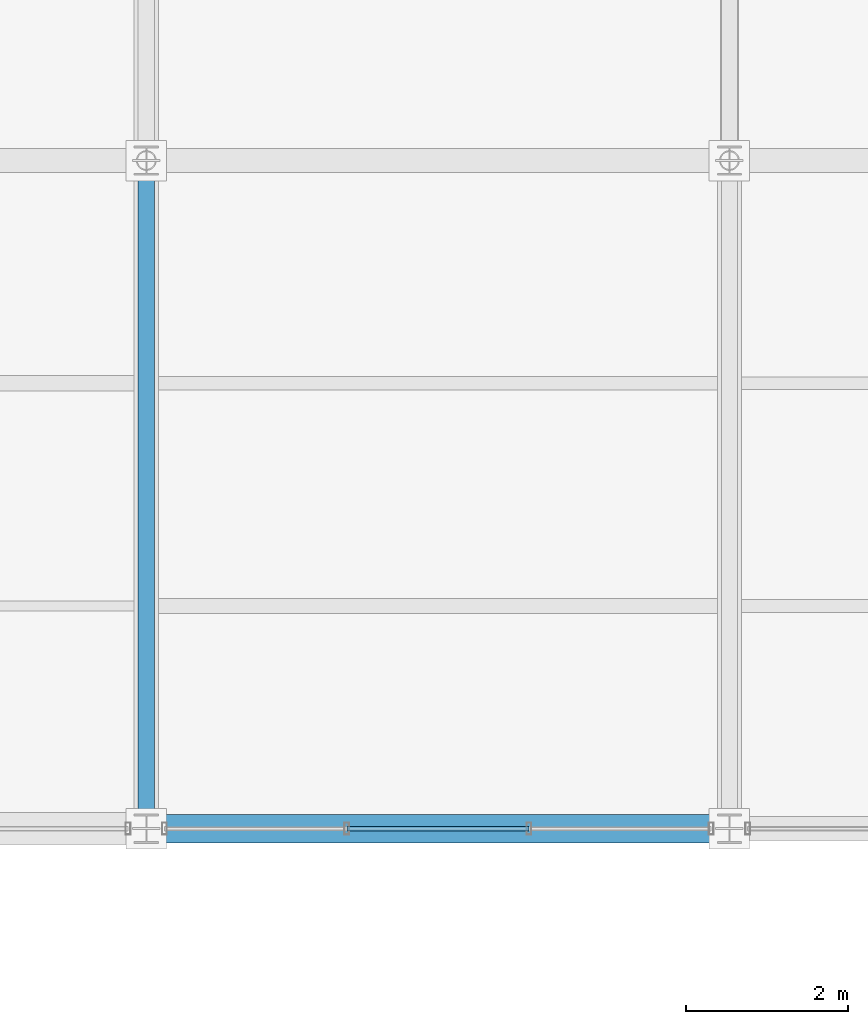
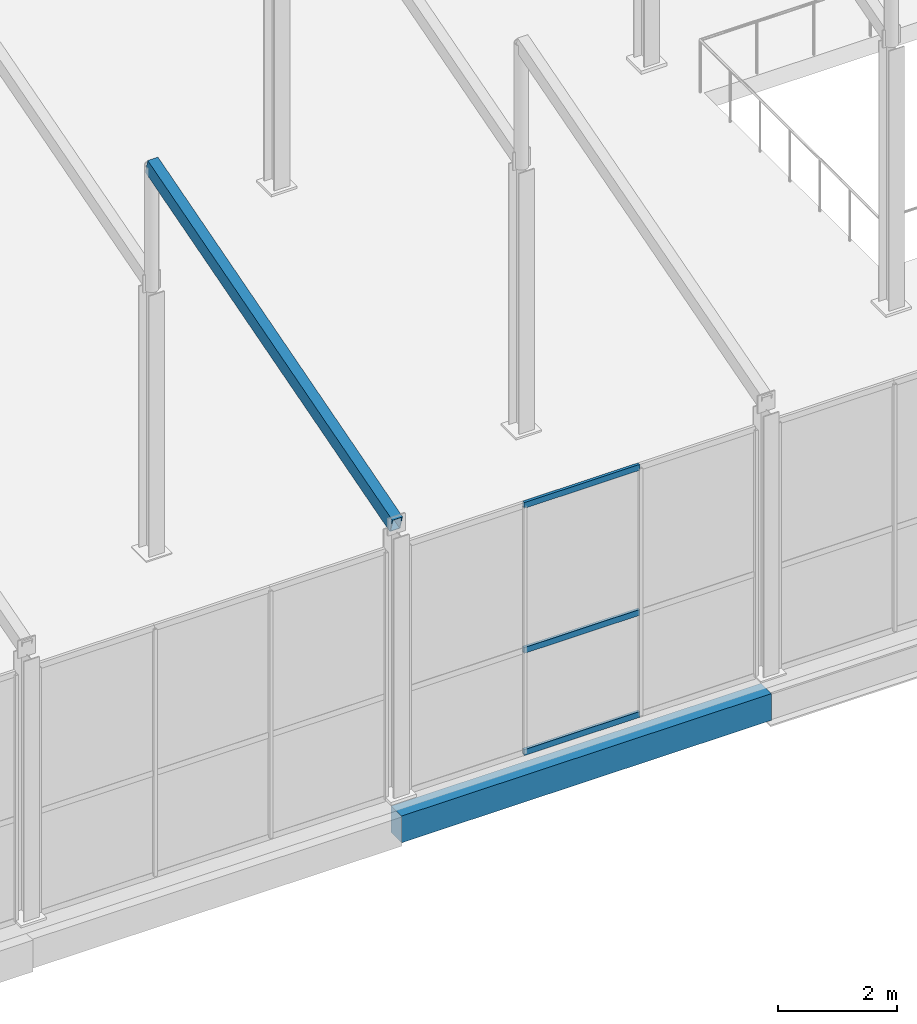
# One storey, part 24 of 141: 4 members, 1 beam, 1 element without a shape of its own.
"""IFC4 building model written with IfcOpenShell, lengths in metres."""

from ifc_helpers import new_model, si_unit, direction, frame, origin, origin_2d, place, context, subcontext, project, spatial, rectangle, hollow_rectangle, extrude, material, layer, layer_set, material_profile, profile_set, type_object, element, aggregate, save


model = new_model("IFC4")

# Units and contexts
model_context = context("Model", 3, precision=1e-05, world=origin(), true_north=direction((0.0, 1.0)))
body_context = subcontext(model_context, "Body", "Model", "MODEL_VIEW")
ifc_project = project(units=[si_unit("LENGTHUNIT", "METRE"), si_unit("AREAUNIT", "SQUARE_METRE"), si_unit("VOLUMEUNIT", "CUBIC_METRE"), si_unit("PLANEANGLEUNIT", "RADIAN"), si_unit("MASSUNIT", "GRAM", prefix="KILO")], contexts=[model_context])

# Site, building, storey
site_placement = place(None, origin())
site = spatial("IfcSite", under=ifc_project, at=site_placement, CompositionType="ELEMENT")
building_placement = place(site_placement, origin())
building = spatial("IfcBuilding", under=site, at=building_placement, Name="Sundgate Opera House", CompositionType="ELEMENT")
storey_placement = place(building_placement, frame((0.0, 0.0, 11.39990234375)))
storey = spatial("IfcBuildingStorey", under=building, at=storey_placement, Name="L02", CompositionType="ELEMENT", Elevation=11.39990234375)

# Beam
ifc_material_1 = material(Name="Concrete C35/45", Category="concrete")
ifc_material_profile_1 = material_profile(ifc_material_1, rectangle(XDim=0.35009765625, YDim=0.550048828125, at=origin_2d()), Name="RC 350x550")
ifc_profile_set_1 = profile_set([ifc_material_profile_1], Name="Concrete C35/45")
beam_type = type_object("IfcBeamType", Name="BM-RC-350x550", PredefinedType="BEAM", material=ifc_profile_set_1)
beam_placement = place(storey_placement, frame((117.0, 8.25, -0.625), z_axis=(1.0, 0.0, 0.0), x_axis=(0.0, 1.0, 0.0)))
element("IfcBeam", 1, at=beam_placement, inside=storey, type_object=beam_type, Name="L02 Primary E-W Girder B1966", PredefinedType="BEAM", context=body_context, shape_type="SweptSolid", body=[
    extrude(rectangle(XDim=0.35009765625, YDim=0.550048828125, at=origin_2d()), origin(), (0.0, 0.0, 1.0), 7.199951171875),
])

# Curtain wall, members
ifc_material_2 = material(Name="Anodized aluminium and low-iron glass", Category="aluminium")
ifc_layer = layer(ifc_material_2, 0.14990234375)
ifc_layer_set = layer_set([ifc_layer], Name="Anodized aluminium and low-iron glass")
curtain_wall_type = type_object("IfcCurtainWallType", Name="CW-WORKSHOP-DARK", PredefinedType="NOTDEFINED", material=ifc_layer_set)
curtain_wall_placement = place(storey_placement, origin())
curtain_wall = element("IfcCurtainWall", 2, at=curtain_wall_placement, inside=storey, type_object=curtain_wall_type, Name="L02 Curtain Wall CW157", PredefinedType="NOTDEFINED")
ifc_material_3 = material(Name="Anodized aluminium EN AW-6063", Category="aluminium")
ifc_material_profile_2 = material_profile(ifc_material_3, hollow_rectangle(XDim=0.054931640625, YDim=0.1201171875, WallThickness=0.00390625, at=origin_2d()), Name="CWT 120x55x4")
ifc_profile_set_2 = profile_set([ifc_material_profile_2], Name="Anodized aluminium EN AW-6063")
member_type_1 = type_object("IfcMemberType", Name="CWT-ALU-120x55", PredefinedType="USERDEFINED", material=ifc_profile_set_2)
member_1_placement = place(storey_placement, frame((121.72509765625, 8.25, 0.0), z_axis=(-1.0, 0.0, 0.0), x_axis=(0.0, -1.0, 0.0)))
member_1 = element("IfcMember", 3, at=member_1_placement, type_object=member_type_1, Name="CW157 Transom 4", ObjectType="TRANSOM", PredefinedType="USERDEFINED", context=body_context, shape_type="SweptSolid", body=[
    extrude(hollow_rectangle(XDim=0.054931640625, YDim=0.1201171875, WallThickness=0.00390625, at=origin_2d()), origin(), (0.0, 0.0, 1.0), 2.25),
])
member_2_placement = place(storey_placement, frame((121.72509765625, 8.25, 2.10009765625), z_axis=(-1.0, 0.0, 0.0), x_axis=(0.0, -1.0, 0.0)))
member_2 = element("IfcMember", 4, at=member_2_placement, type_object=member_type_1, Name="CW157 Transom 5", ObjectType="TRANSOM", PredefinedType="USERDEFINED", context=body_context, shape_type="SweptSolid", body=[
    extrude(hollow_rectangle(XDim=0.054931640625, YDim=0.1201171875, WallThickness=0.00390625, at=origin_2d()), origin(), (0.0, 0.0, 1.0), 2.25),
])
member_3_placement = place(storey_placement, frame((121.72509765625, 8.25, 5.085205078125), z_axis=(-1.0, 0.0, 0.0), x_axis=(0.0, -1.0, 0.0)))
member_3 = element("IfcMember", 5, at=member_3_placement, type_object=member_type_1, Name="CW157 Transom 6", ObjectType="TRANSOM", PredefinedType="USERDEFINED", context=body_context, shape_type="SweptSolid", body=[
    extrude(hollow_rectangle(XDim=0.054931640625, YDim=0.1201171875, WallThickness=0.00390625, at=origin_2d()), origin(), (0.0, 0.0, 1.0), 2.25),
])
aggregate(curtain_wall, [member_1, member_2, member_3])

# Member
ifc_material_4 = material(Name="Steel S355J2", Category="steel")
ifc_material_profile_3 = material_profile(ifc_material_4, hollow_rectangle(XDim=0.199951171875, YDim=0.300048828125, WallThickness=0.012451171875, at=origin_2d()), Name="RHS 300x200x12.5")
ifc_profile_set_3 = profile_set([ifc_material_profile_3], Name="Steel S355J2")
member_type_2 = type_object("IfcMemberType", Name="MB-CHORD-RHS300", PredefinedType="CHORD", material=ifc_profile_set_3)
member_4_placement = place(storey_placement, frame((117.0, 8.25, 5.550048828125), z_axis=(0.0, 0.96019072379, 0.279345259398), x_axis=(-1.0, 0.0, 0.0)))
element("IfcMember", 6, at=member_4_placement, inside=storey, type_object=member_type_2, Name="L02 Sawtooth Rafter M0387", PredefinedType="CHORD", context=body_context, shape_type="SweptSolid", body=[
    extrude(hollow_rectangle(XDim=0.199951171875, YDim=0.300048828125, WallThickness=0.012451171875, at=origin_2d()), origin(), (0.0, 0.0, 1.0), 8.592041015625),
])

save(model, "model.ifc")
